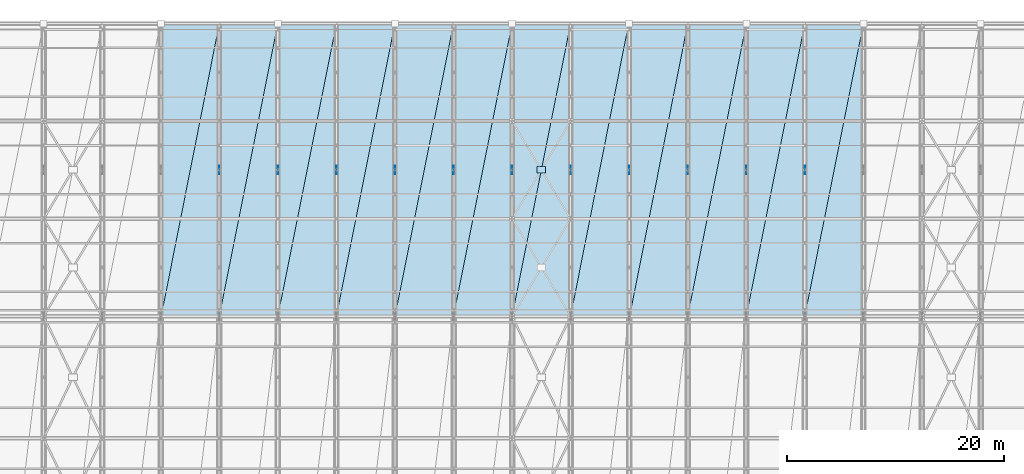
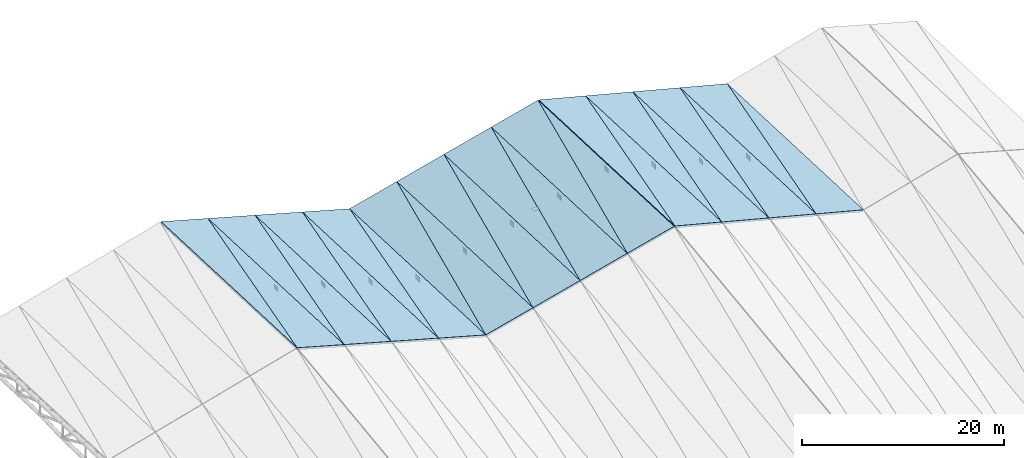
# One storey, part 100 of 109: 24 slabs, 12 plates.
"""IFC4 building model written with IfcOpenShell, lengths in metres."""

from ifc_helpers import new_model, si_unit, direction, frame, origin, origin_2d, place, context, subcontext, project, spatial, polyline, rectangle, outline, extrude, material, layer, layer_set, type_object, element, save


model = new_model("IFC4")

# Units and contexts
model_context = context("Model", 3, precision=1e-05, world=origin(), true_north=direction((0.0, 1.0)))
body_context = subcontext(model_context, "Body", "Model", "MODEL_VIEW")
ifc_project = project(units=[si_unit("LENGTHUNIT", "METRE"), si_unit("AREAUNIT", "SQUARE_METRE"), si_unit("VOLUMEUNIT", "CUBIC_METRE"), si_unit("PLANEANGLEUNIT", "RADIAN"), si_unit("MASSUNIT", "GRAM", prefix="KILO")], contexts=[model_context])

# Site, building, storey
site_placement = place(None, origin())
site = spatial("IfcSite", under=ifc_project, at=site_placement, CompositionType="ELEMENT")
building_placement = place(site_placement, origin())
building = spatial("IfcBuilding", under=site, at=building_placement, Name="Suirenkawa Promenade Aquatics Centre", CompositionType="ELEMENT")
storey_placement = place(building_placement, frame((0.0, 0.0, 22.800048828125)))
storey = spatial("IfcBuildingStorey", under=building, at=storey_placement, Name="ROOF", CompositionType="ELEMENT", Elevation=22.800048828125)

# Plates
ifc_material_1 = material(Name="Steel IS 2062 E350 (Grade 350)", Category="steel")
ifc_layer_1 = layer(ifc_material_1, 0.02392578125, Name="Steel IS 2062 E350 (Grade 350)", Category="steel")
ifc_layer_set_1 = layer_set([ifc_layer_1], Name="Steel IS 2062 E350 (Grade 350)")
plate_type = type_object("IfcPlateType", Name="PLT-GUSSET-800x600x24", PredefinedType="USERDEFINED", material=ifc_layer_set_1)
for number, where, z_axis, x_axis, name in (
    (1, (73.800048828125, 108.89990234375, -5.710205078125), (0.0, 0.0, 1.0), (0.0, 1.0, 0.0), "Truss node plate TN-04 PLG-0021"),
    (2, (79.199951171875, 108.89990234375, -7.210205078125), (0.0, 0.0, 1.0), (0.0, 1.0, 0.0), "Truss node plate TN-04 PLG-0026"),
    (3, (84.60009765625, 108.89990234375, -8.710205078125), (0.0, 0.0, 1.0), (0.0, 1.0, 0.0), "Truss node plate TN-04 PLG-0029"),
    (4, (90.0, 108.89990234375, -10.210205078125), (0.0, 0.0, 1.0), (0.0, 1.0, 0.0), "Truss node plate TN-04 PLG-0034"),
    (5, (95.39990234375, 108.89990234375, -8.81005859375), (0.0, 0.0, 1.0), (0.0, 1.0, 0.0), "Truss node plate TN-04 PLG-0037"),
    (6, (100.800048828125, 108.89990234375, -7.41015625), (0.0, 0.0, 1.0), (0.0, 1.0, 0.0), "Truss node plate TN-04 PLG-0042"),
    (7, (106.199951171875, 108.89990234375, -6.010009765625), (0.0, 0.0, 1.0), (0.0, 1.0, 0.0), "Truss node plate TN-04 PLG-0045"),
    (8, (111.60009765625, 108.89990234375, -4.610107421875), (0.0, 0.0, 1.0), (0.0, 1.0, 0.0), "Truss node plate TN-04 PLG-0050"),
    (9, (117.0, 108.89990234375, -6.010009765625), (0.0, 0.0, 1.0), (0.0, 1.0, 0.0), "Truss node plate TN-04 PLG-0053"),
    (10, (122.39990234375, 108.89990234375, -7.41015625), (0.0, 0.0, 1.0), (0.0, 1.0, 0.0), "Truss node plate TN-04 PLG-0058"),
    (11, (127.800048828125, 108.89990234375, -8.81005859375), (0.0, 0.0, 1.0), (0.0, 1.0, 0.0), "Truss node plate TN-04 PLG-0061"),
):
    element("IfcPlate", number, at=place(storey_placement, frame(where, z_axis=z_axis, x_axis=x_axis)), inside=storey, type_object=plate_type, Name=name, ObjectType="GUSSET", PredefinedType="USERDEFINED", context=body_context, shape_type="SweptSolid", body=[
        extrude(rectangle(XDim=0.800048828125, YDim=0.02392578125, at=origin_2d()), origin(), (0.0, 0.0, 1.0), 0.60009765625),
    ])
plate_placement = place(storey_placement, frame((103.5, 108.89990234375, -6.261962890625), z_axis=(0.0, 0.0, 1.0), x_axis=(1.0, 0.0, 0.0)))
element("IfcPlate", 12, at=plate_placement, inside=storey, type_object=plate_type, Name="Truss node plate TN-04 PLG-0111", ObjectType="GUSSET", PredefinedType="USERDEFINED", context=body_context, shape_type="SweptSolid", body=[
    extrude(rectangle(XDim=0.800048828125, YDim=0.60009765625, at=origin_2d()), origin(), (0.0, 0.0, 1.0), 0.02392578125),
])

# Slabs
ifc_material_2 = material(Name="Concrete M35", Category="concrete")
ifc_layer_2 = layer(ifc_material_2, 0.239990234375, Name="Concrete M35", Category="concrete")
ifc_layer_set_2 = layer_set([ifc_layer_2], Name="Concrete M35")
slab_type = type_object("IfcSlabType", Name="SLT-ROOF-V1-240", PredefinedType="ROOF", material=ifc_layer_set_2)
slab_1_placement = place(storey_placement, frame((68.445068359375, 95.422119140625, -2.612060546875), z_axis=(0.26752817265, 0.039250233014, 0.962750277095), x_axis=(0.963492732357, 0.0, -0.267734485443)))
element("IfcSlab", 13, at=slab_1_placement, inside=storey, type_object=slab_type, Name="Folded roof facet SL-ROOF-01 SL-V1-RFN-05-1", PredefinedType="ROOF", context=body_context, shape_type="SweptSolid", body=[
    extrude(outline(polyline([(0.0, 0.0), (5.557883613352395, 0.0), (5.852352328421327, 26.99858797208646), (0.0, 0.0)])), origin(), (0.0, 0.0, -1.0), 0.239990234375),
])
slab_2_placement = place(storey_placement, frame((68.445068359375, 95.422119140625, -2.612060546875), z_axis=(0.267487328875, 0.039259393154, 0.962761252305), x_axis=(0.193841236084, 0.976550124395, -0.093677263722)))
element("IfcSlab", 14, at=slab_2_placement, inside=storey, type_object=slab_type, Name="Folded roof facet SL-ROOF-01 SL-V1-RFN-05-2", PredefinedType="ROOF", context=body_context, shape_type="SweptSolid", body=[
    extrude(outline(polyline([(0.0, 0.0), (27.625600088730568, 0.0), (26.448211681166836, 5.43167564166809), (0.0, 0.0)])), origin(), (0.0, 0.0, -1.0), 0.239990234375),
])
slab_3_placement = place(storey_placement, frame((73.800048828125, 95.422119140625, -4.10009765625), z_axis=(0.267442100685, 0.039251206321, 0.96277415087), x_axis=(0.963516661409, 0.0, -0.267648357342)))
element("IfcSlab", 15, at=slab_3_placement, inside=storey, type_object=slab_type, Name="Folded roof facet SL-ROOF-01 SL-V1-RFN-06-1", PredefinedType="ROOF", context=body_context, shape_type="SweptSolid", body=[
    extrude(outline(polyline([(0.0, 0.0), (5.604368414195907, -6.938893903907228e-18), (5.898742400969973, 26.998589005104638), (0.0, 0.0)])), origin(), (0.0, 0.0, -1.0), 0.239990234375),
])
slab_4_placement = place(storey_placement, frame((73.800048828125, 95.422119140625, -4.10009765625), z_axis=(0.267442100685, 0.039251206321, 0.96277415087), x_axis=(0.195397551181, 0.976201501176, -0.094076703252)))
element("IfcSlab", 16, at=slab_4_placement, inside=storey, type_object=slab_type, Name="Folded roof facet SL-ROOF-01 SL-V1-RFN-06-2", PredefinedType="ROOF", context=body_context, shape_type="SweptSolid", body=[
    extrude(outline(polyline([(0.0, 0.0), (27.63546580355681, 7.771561172376096e-16), (26.439223054096097, 5.475212197385543), (0.0, 0.0)])), origin(), (0.0, 0.0, -1.0), 0.239990234375),
])
slab_5_placement = place(storey_placement, frame((79.199951171875, 95.422119140625, -5.60009765625), z_axis=(0.267430874389, 0.039251333244, 0.962777264097), x_axis=(0.963519781844, 0.0, -0.267637123724)))
element("IfcSlab", 17, at=slab_5_placement, inside=storey, type_object=slab_type, Name="Folded roof facet SL-ROOF-01 SL-V1-RFN-07-1", PredefinedType="ROOF", context=body_context, shape_type="SweptSolid", body=[
    extrude(outline(polyline([(0.0, 0.0), (5.604603648136742, 6.938893903907228e-18), (5.898965279576276, 26.99858913981585), (0.0, 0.0)])), origin(), (0.0, 0.0, -1.0), 0.239990234375),
])
slab_6_placement = place(storey_placement, frame((79.199951171875, 95.422119140625, -5.60009765625), z_axis=(0.267430874389, 0.039251333244, 0.962777264097), x_axis=(0.195406048185, 0.976199816018, -0.094076540853)))
element("IfcSlab", 18, at=slab_6_placement, inside=storey, type_object=slab_type, Name="Folded roof facet SL-ROOF-01 SL-V1-RFN-07-2", PredefinedType="ROOF", context=body_context, shape_type="SweptSolid", body=[
    extrude(outline(polyline([(0.0, 0.0), (27.635513509074308, -1.1102230246251565e-16), (26.43917741366254, 5.475432585606601), (0.0, 0.0)])), origin(), (0.0, 0.0, -1.0), 0.239990234375),
])
slab_7_placement = place(storey_placement, frame((84.60009765625, 95.422119140625, -7.10009765625), z_axis=(0.267442100685, 0.039251206321, 0.96277415087), x_axis=(0.963516661409, 0.0, -0.267648357342)))
element("IfcSlab", 19, at=slab_7_placement, inside=storey, type_object=slab_type, Name="Folded roof facet SL-ROOF-01 SL-V1-RFN-08-1", PredefinedType="ROOF", context=body_context, shape_type="SweptSolid", body=[
    extrude(outline(polyline([(0.0, 0.0), (5.604368414195907, -6.938893903907228e-18), (5.898742400969973, 26.998589005104638), (0.0, 0.0)])), origin(), (0.0, 0.0, -1.0), 0.239990234375),
])
slab_8_placement = place(storey_placement, frame((84.60009765625, 95.422119140625, -7.10009765625), z_axis=(0.267442100685, 0.039251206321, 0.96277415087), x_axis=(0.195397551181, 0.976201501176, -0.094076703252)))
element("IfcSlab", 20, at=slab_8_placement, inside=storey, type_object=slab_type, Name="Folded roof facet SL-ROOF-01 SL-V1-RFN-08-2", PredefinedType="ROOF", context=body_context, shape_type="SweptSolid", body=[
    extrude(outline(polyline([(0.0, 0.0), (27.63546580355681, 7.771561172376096e-16), (26.439223054096097, 5.475212197385543), (0.0, 0.0)])), origin(), (0.0, 0.0, -1.0), 0.239990234375),
])
slab_9_placement = place(storey_placement, frame((90.0, 95.422119140625, -8.60009765625), z_axis=(-0.25079571194, 0.039441871817, 0.967236191227), x_axis=(0.967989416096, 0.0, 0.250991016426)))
element("IfcSlab", 21, at=slab_9_placement, inside=storey, type_object=slab_type, Name="Folded roof facet SL-ROOF-01 SL-V1-RFN-09-1", PredefinedType="ROOF", context=body_context, shape_type="SweptSolid", body=[
    extrude(outline(polyline([(0.0, 0.0), (5.578472505959352, 1.3877787807814457e-17), (5.30235787704935, 26.99879186407796), (0.0, 0.0)])), origin(), (0.0, 0.0, -1.0), 0.239990234375),
])
slab_10_placement = place(storey_placement, frame((90.0, 95.422119140625, -8.60009765625), z_axis=(-0.2507548177, 0.039433564692, 0.967247132524), x_axis=(0.196256338632, 0.980491982784, 0.010905101735)))
element("IfcSlab", 22, at=slab_10_placement, inside=storey, type_object=slab_type, Name="Folded roof facet SL-ROOF-01 SL-V1-RFN-09-2", PredefinedType="ROOF", context=body_context, shape_type="SweptSolid", body=[
    extrude(outline(polyline([(0.0, 0.0), (27.514537269888972, 9.853229343548264e-16), (26.43950612945476, 5.473845078294618), (0.0, 0.0)])), origin(), (0.0, 0.0, -1.0), 0.239990234375),
])
slab_11_placement = place(storey_placement, frame((95.39990234375, 95.422119140625, -7.199951171875), z_axis=(-0.250744107293, 0.039442416486, 0.967249548172), x_axis=(0.96800280427, 0.0, 0.250939376992)))
element("IfcSlab", 23, at=slab_11_placement, inside=storey, type_object=slab_type, Name="Folded roof facet SL-ROOF-01 SL-V1-RFN-10-1", PredefinedType="ROOF", context=body_context, shape_type="SweptSolid", body=[
    extrude(outline(polyline([(0.0, 0.0), (5.578647562334837, 6.938893903907228e-18), (5.30258974184515, 26.99879244499366), (0.0, 0.0)])), origin(), (0.0, 0.0, -1.0), 0.239990234375),
])
slab_12_placement = place(storey_placement, frame((95.39990234375, 95.422119140625, -7.199951171875), z_axis=(-0.250744107293, 0.039442416486, 0.967249548172), x_axis=(0.19626488898, 0.980490370145, 0.010896210664)))
element("IfcSlab", 24, at=slab_12_placement, inside=storey, type_object=slab_type, Name="Folded roof facet SL-ROOF-01 SL-V1-RFN-10-2", PredefinedType="ROOF", context=body_context, shape_type="SweptSolid", body=[
    extrude(outline(polyline([(0.0, 0.0), (27.514582523784878, -2.7755575615628914e-17), (26.439469742704706, 5.474069887451428), (0.0, 0.0)])), origin(), (0.0, 0.0, -1.0), 0.239990234375),
])
slab_13_placement = place(storey_placement, frame((100.800048828125, 95.422119140625, -5.800048828125), z_axis=(-0.2507548177, 0.039433564692, 0.967247132524), x_axis=(0.968000048288, 0.0, 0.250950007997)))
element("IfcSlab", 25, at=slab_13_placement, inside=storey, type_object=slab_type, Name="Folded roof facet SL-ROOF-01 SL-V1-RFN-11-1", PredefinedType="ROOF", context=body_context, shape_type="SweptSolid", body=[
    extrude(outline(polyline([(0.0, 0.0), (5.578411233861617, 2.0816681711721685e-17), (5.302402985319626, 26.998783005116785), (0.0, 0.0)])), origin(), (0.0, 0.0, -1.0), 0.239990234375),
])
slab_14_placement = place(storey_placement, frame((100.800048828125, 95.422119140625, -5.800048828125), z_axis=(-0.25079571194, 0.039441871817, 0.967236191227), x_axis=(0.196256338632, 0.980491982784, 0.010905101735)))
element("IfcSlab", 26, at=slab_14_placement, inside=storey, type_object=slab_type, Name="Folded roof facet SL-ROOF-01 SL-V1-RFN-11-2", PredefinedType="ROOF", context=body_context, shape_type="SweptSolid", body=[
    extrude(outline(polyline([(0.0, 0.0), (27.514537269888972, 3.885780586188048e-16), (26.439503467076406, 5.47390699798186), (0.0, 0.0)])), origin(), (0.0, 0.0, -1.0), 0.239990234375),
])
slab_15_placement = place(storey_placement, frame((106.199951171875, 95.422119140625, -4.400146484375), z_axis=(-0.250742384691, 0.039442434665, 0.967249993987), x_axis=(0.968003251127, 0.0, 0.250937653228)))
element("IfcSlab", 27, at=slab_15_placement, inside=storey, type_object=slab_type, Name="Folded roof facet SL-ROOF-01 SL-V1-RFN-12-1", PredefinedType="ROOF", context=body_context, shape_type="SweptSolid", body=[
    extrude(outline(polyline([(0.0, 0.0), (5.5319860367367735, 6.938893903907228e-18), (5.255930112555535, 26.998792464383012), (0.0, 0.0)])), origin(), (0.0, 0.0, -1.0), 0.239990234375),
])
slab_16_placement = place(storey_placement, frame((106.199951171875, 95.422119140625, -4.400146484375), z_axis=(-0.25070114488, 0.039434130962, 0.967261022305), x_axis=(0.194686715863, 0.980809555466, 0.010473708613)))
element("IfcSlab", 28, at=slab_16_placement, inside=storey, type_object=slab_type, Name="Folded roof facet SL-ROOF-01 SL-V1-RFN-12-2", PredefinedType="ROOF", context=body_context, shape_type="SweptSolid", body=[
    extrude(outline(polyline([(0.0, 0.0), (27.505628440064637, -8.881784197001252e-16), (26.44854800568746, 5.429988278209435), (0.0, 0.0)])), origin(), (0.0, 0.0, -1.0), 0.239990234375),
])
slab_17_placement = place(storey_placement, frame((111.64501953125, 95.422119140625, -3.011962890625), z_axis=(0.250742471251, 0.039433694964, 0.967250327895), x_axis=(0.968003251127, 0.0, -0.250937653228)))
element("IfcSlab", 29, at=slab_17_placement, inside=storey, type_object=slab_type, Name="Folded roof facet SL-ROOF-01 SL-V1-RFN-13-1", PredefinedType="ROOF", context=body_context, shape_type="SweptSolid", body=[
    extrude(outline(polyline([(0.0, 0.0), (5.5319860367367735, -6.938893903907228e-18), (5.807980696842517, 26.998783144027794), (0.0, 0.0)])), origin(), (0.0, 0.0, -1.0), 0.239990234375),
])
slab_18_placement = place(storey_placement, frame((111.64501953125, 95.422119140625, -3.011962890625), z_axis=(0.250701058333, 0.03944287076, 0.967260688386), x_axis=(0.193905636387, 0.976874565805, -0.090092657081)))
element("IfcSlab", 30, at=slab_18_placement, inside=storey, type_object=slab_type, Name="Folded roof facet SL-ROOF-01 SL-V1-RFN-13-2", PredefinedType="ROOF", context=body_context, shape_type="SweptSolid", body=[
    extrude(outline(polyline([(0.0, 0.0), (27.616425022676893, 0.0), (26.453020973845366, 5.408205133442824), (0.0, 0.0)])), origin(), (0.0, 0.0, -1.0), 0.239990234375),
])
slab_19_placement = place(storey_placement, frame((117.0, 95.422119140625, -4.400146484375), z_axis=(0.250754731137, 0.039442304364, 0.967246798619), x_axis=(0.968000048288, 0.0, -0.250950007997)))
element("IfcSlab", 31, at=slab_19_placement, inside=storey, type_object=slab_type, Name="Folded roof facet SL-ROOF-01 SL-V1-RFN-14-1", PredefinedType="ROOF", context=body_context, shape_type="SweptSolid", body=[
    extrude(outline(polyline([(0.0, 0.0), (5.578411233861617, -2.0816681711721685e-17), (5.854480749495405, 26.99879232541037), (0.0, 0.0)])), origin(), (0.0, 0.0, -1.0), 0.239990234375),
])
slab_20_placement = place(storey_placement, frame((117.0, 95.422119140625, -4.400146484375), z_axis=(0.250795798516, 0.03943313224, 0.967236525121), x_axis=(0.195462728104, 0.97652712353, -0.090493640283)))
element("IfcSlab", 32, at=slab_20_placement, inside=storey, type_object=slab_type, Name="Folded roof facet SL-ROOF-01 SL-V1-RFN-14-2", PredefinedType="ROOF", context=body_context, shape_type="SweptSolid", body=[
    extrude(outline(polyline([(0.0, 0.0), (27.626250774885293, -6.661338147750939e-16), (26.4440667789786, 5.451770033628207), (0.0, 0.0)])), origin(), (0.0, 0.0, -1.0), 0.239990234375),
])
slab_21_placement = place(storey_placement, frame((122.39990234375, 95.422119140625, -5.800048828125), z_axis=(0.250744107293, 0.039442416486, 0.967249548172), x_axis=(0.96800280427, 0.0, -0.250939376992)))
element("IfcSlab", 33, at=slab_21_placement, inside=storey, type_object=slab_type, Name="Folded roof facet SL-ROOF-01 SL-V1-RFN-15-1", PredefinedType="ROOF", context=body_context, shape_type="SweptSolid", body=[
    extrude(outline(polyline([(0.0, 0.0), (5.578647562334837, -6.938893903907228e-18), (5.854705382824523, 26.998792444993665), (0.0, 0.0)])), origin(), (0.0, 0.0, -1.0), 0.239990234375),
])
slab_22_placement = place(storey_placement, frame((122.39990234375, 95.422119140625, -5.800048828125), z_axis=(0.250744107293, 0.039442416486, 0.967249548172), x_axis=(0.195471227718, 0.976525436686, -0.090493483965)))
element("IfcSlab", 34, at=slab_22_placement, inside=storey, type_object=slab_type, Name="Folded roof facet SL-ROOF-01 SL-V1-RFN-15-2", PredefinedType="ROOF", context=body_context, shape_type="SweptSolid", body=[
    extrude(outline(polyline([(0.0, 0.0), (27.626298496315446, -2.220446049250313e-16), (26.444043192861066, 5.451933695689853), (0.0, 0.0)])), origin(), (0.0, 0.0, -1.0), 0.239990234375),
])
slab_23_placement = place(storey_placement, frame((127.800048828125, 95.422119140625, -7.199951171875), z_axis=(0.250795798516, 0.03943313224, 0.967236525121), x_axis=(0.967989416096, 0.0, -0.250991016426)))
element("IfcSlab", 35, at=slab_23_placement, inside=storey, type_object=slab_type, Name="Folded roof facet SL-ROOF-01 SL-V1-RFN-16-1", PredefinedType="ROOF", context=body_context, shape_type="SweptSolid", body=[
    extrude(outline(polyline([(0.0, 0.0), (5.578472505959352, -1.3877787807814457e-17), (5.854525857765735, 26.998782543988955), (0.0, 0.0)])), origin(), (0.0, 0.0, -1.0), 0.239990234375),
])
slab_24_placement = place(storey_placement, frame((127.800048828125, 95.422119140625, -7.199951171875), z_axis=(0.250754731137, 0.039442304364, 0.967246798619), x_axis=(0.195462728104, 0.97652712353, -0.090493640283)))
element("IfcSlab", 36, at=slab_24_placement, inside=storey, type_object=slab_type, Name="Folded roof facet SL-ROOF-01 SL-V1-RFN-16-2", PredefinedType="ROOF", context=body_context, shape_type="SweptSolid", body=[
    extrude(outline(polyline([(0.0, 0.0), (27.626250774885293, 4.440892098500626e-16), (26.4440888721525, 5.451712128295172), (0.0, 0.0)])), origin(), (0.0, 0.0, -1.0), 0.239990234375),
])

save(model, "model.ifc")
